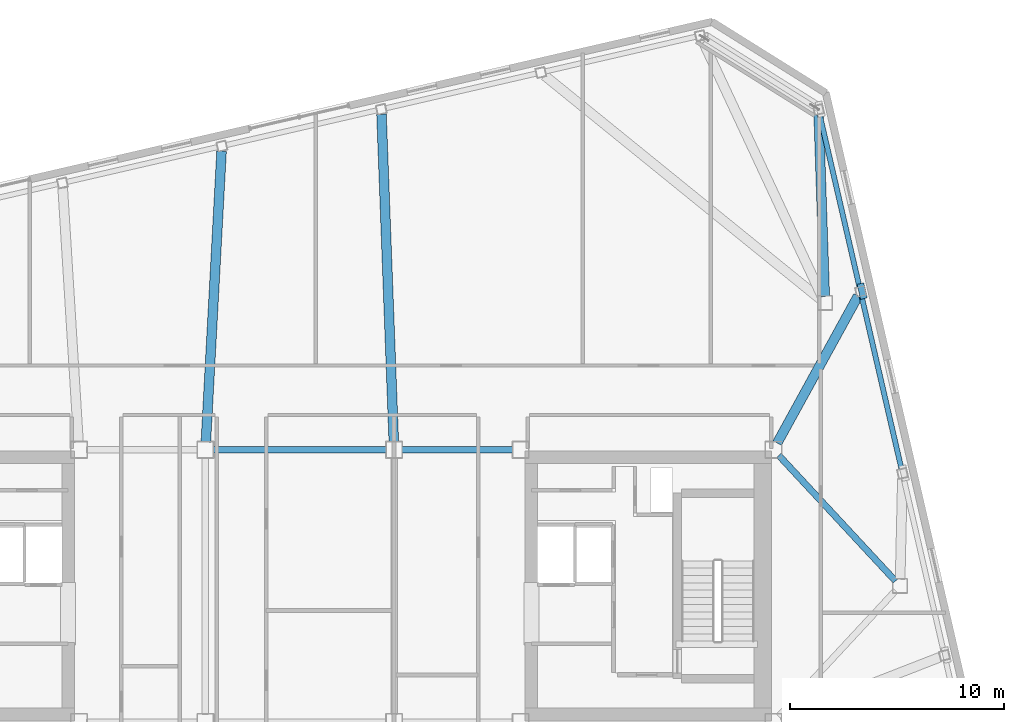
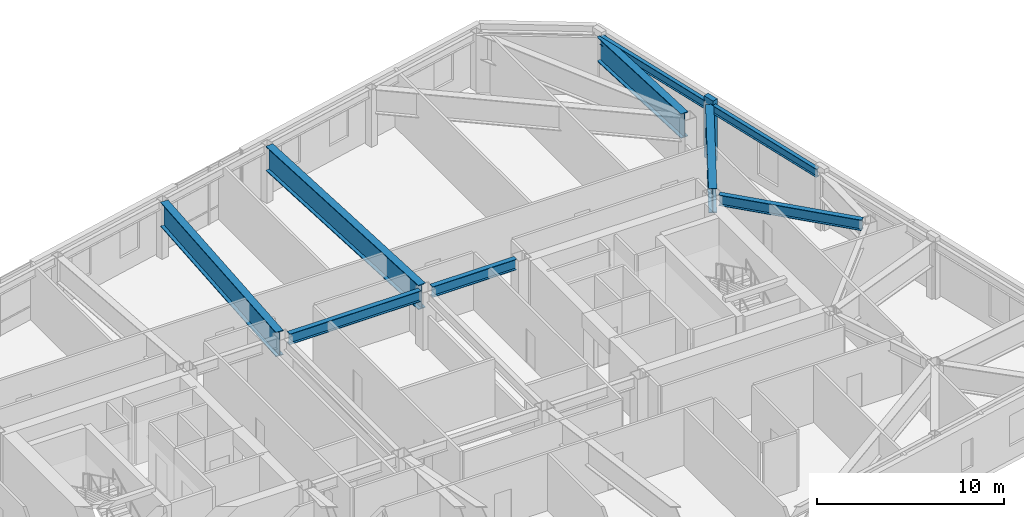
# One storey, part 11 of 21: 9 beams, 1 member.
"""IFC4 building model written with IfcOpenShell, lengths in metres."""

from ifc_helpers import new_model, si_unit, direction, frame, origin, origin_2d, place, context, subcontext, project, spatial, rectangle, i_section, extrude, material, material_profile, profile_set, type_object, element, save


model = new_model("IFC4")

# Units and contexts
model_context = context("Model", 3, precision=1e-05, world=origin(), true_north=direction((0.0, 1.0)))
body_context = subcontext(model_context, "Body", "Model", "MODEL_VIEW")
ifc_project = project(units=[si_unit("LENGTHUNIT", "METRE"), si_unit("AREAUNIT", "SQUARE_METRE"), si_unit("VOLUMEUNIT", "CUBIC_METRE"), si_unit("PLANEANGLEUNIT", "RADIAN"), si_unit("MASSUNIT", "GRAM", prefix="KILO")], contexts=[model_context])

# Site, building, storey
site_placement = place(None, origin())
site = spatial("IfcSite", under=ifc_project, at=site_placement, CompositionType="ELEMENT")
building_placement = place(site_placement, origin())
building = spatial("IfcBuilding", under=site, at=building_placement, Name="Tavrogorsk Clinical Tower", CompositionType="ELEMENT")
storey_placement = place(building_placement, frame((0.0, 0.0, 281.0)))
storey = spatial("IfcBuildingStorey", under=building, at=storey_placement, Name="L65", CompositionType="ELEMENT", Elevation=281.0)

# Member
ifc_material_1 = material(Name="Precast concrete B45 with limestone cladding", Category="masonry")
ifc_material_profile_1 = material_profile(ifc_material_1, rectangle(XDim=0.320068359375, YDim=0.719970703125, at=origin_2d()), Name="LIMESTONE-FIN-320x720")
ifc_profile_set_1 = profile_set([ifc_material_profile_1], Name="Precast concrete B45 with limestone cladding")
member_type = type_object("IfcMemberType", Name="LimestonePleatFin_320x720", PredefinedType="USERDEFINED", material=ifc_profile_set_1)
member_placement = place(storey_placement, frame((26.23583984375, 13.750244140625, 0.0), z_axis=(0.0, 0.0, 1.0), x_axis=(0.974370064785, 0.224951054344, 0.0)))
element("IfcMember", 1, at=member_placement, inside=storey, type_object=member_type, Name="L65 E Pleated Stone Fin 3", ObjectType="FIN", PredefinedType="USERDEFINED", context=body_context, shape_type="SweptSolid", body=[
    extrude(rectangle(XDim=0.320068359375, YDim=0.719970703125, at=origin_2d()), origin(), (0.0, 0.0, 1.0), 4.0),
])

# Beams
ifc_material_2 = material(Name="Structural steel S390", Category="steel")
ifc_material_profile_2 = material_profile(ifc_material_2, i_section(OverallWidth=0.300048828125, OverallDepth=0.699951171875, WebThickness=0.01708984375, FlangeThickness=0.028076171875, at=origin_2d()), Name="B-700x300x17x28")
ifc_profile_set_2 = profile_set([ifc_material_profile_2], Name="Structural steel S390")
beam_type_1 = type_object("IfcBeamType", Name="PrimaryGirder_B700", PredefinedType="USERDEFINED", material=ifc_profile_set_2)
beam_1_placement = place(storey_placement, frame((-4.0400390625, 6.35009765625, 3.389892578125), z_axis=(1.0, 0.0, 0.0), x_axis=(0.0, 1.0, 0.0)))
element("IfcBeam", 2, at=beam_1_placement, inside=storey, type_object=beam_type_1, Name="L65 Primary Spine Girder MG-04", ObjectType="GIRDER", PredefinedType="USERDEFINED", context=body_context, shape_type="SweptSolid", body=[
    extrude(i_section(OverallWidth=0.300048828125, OverallDepth=0.699951171875, WebThickness=0.01708984375, FlangeThickness=0.028076171875, at=origin_2d()), origin(), (0.0, 0.0, 1.0), 8.080078125),
])
beam_2_placement = place(storey_placement, frame((4.760009765625, 6.35009765625, 3.389892578125), z_axis=(1.0, 0.0, 0.0), x_axis=(0.0, 1.0, 0.0)))
element("IfcBeam", 3, at=beam_2_placement, inside=storey, type_object=beam_type_1, Name="L65 Primary Spine Girder MG-06", ObjectType="GIRDER", PredefinedType="USERDEFINED", context=body_context, shape_type="SweptSolid", body=[
    extrude(i_section(OverallWidth=0.300048828125, OverallDepth=0.699951171875, WebThickness=0.01708984375, FlangeThickness=0.028076171875, at=origin_2d()), origin(), (0.0, 0.0, 1.0), 5.179931640625),
])
beam_3_placement = place(storey_placement, frame((27.7890625, 0.22705078125, 3.389892578125), z_axis=(-0.680684060959, 0.732577101168, 0.0), x_axis=(-0.732577101168, -0.680684060959, 0.0)))
element("IfcBeam", 4, at=beam_3_placement, inside=storey, type_object=beam_type_1, Name="L65 Spine Link Girder OPG-8", ObjectType="GIRDER", PredefinedType="USERDEFINED", context=body_context, shape_type="SweptSolid", body=[
    extrude(i_section(OverallWidth=0.300048828125, OverallDepth=0.699951171875, WebThickness=0.01708984375, FlangeThickness=0.028076171875, at=origin_2d()), origin(), (0.0, 0.0, 1.0), 7.998046875),
])
ifc_material_3 = material(Name="Structural steel S390", Category="steel")
ifc_material_profile_3 = material_profile(ifc_material_3, i_section(OverallWidth=0.239990234375, OverallDepth=0.550048828125, WebThickness=0.013916015625, FlangeThickness=0.02197265625, at=origin_2d()), Name="B-550x240x14x22")
ifc_profile_set_3 = profile_set([ifc_material_profile_3], Name="Structural steel S390")
beam_type_2 = type_object("IfcBeamType", Name="SpandrelBeam_B550", PredefinedType="SPANDREL", material=ifc_profile_set_3)
beam_4_placement = place(storey_placement, frame((28.06494140625, 5.472412109375, 3.465087890625), z_axis=(-0.224978460613, 0.974363737144, 0.0), x_axis=(-0.974363737144, -0.224978460613, 0.0)))
element("IfcBeam", 5, at=beam_4_placement, inside=storey, type_object=beam_type_2, Name="L65 Perimeter Spandrel E3-E4", PredefinedType="SPANDREL", context=body_context, shape_type="SweptSolid", body=[
    extrude(i_section(OverallWidth=0.239990234375, OverallDepth=0.550048828125, WebThickness=0.013916015625, FlangeThickness=0.02197265625, at=origin_2d()), origin(), (0.0, 0.0, 1.0), 8.244140625),
])
beam_5_placement = place(storey_placement, frame((26.10546875, 13.959228515625, 3.465087890625), z_axis=(-0.224950345141, 0.974370228517, 0.0), x_axis=(-0.974370228517, -0.224950345141, 0.0)))
element("IfcBeam", 6, at=beam_5_placement, inside=storey, type_object=beam_type_2, Name="L65 Perimeter Spandrel E4-E5", PredefinedType="SPANDREL", context=body_context, shape_type="SweptSolid", body=[
    extrude(i_section(OverallWidth=0.239990234375, OverallDepth=0.550048828125, WebThickness=0.013916015625, FlangeThickness=0.02197265625, at=origin_2d()), origin(), (0.0, 0.0, 1.0), 8.243896484375),
])
ifc_material_4 = material(Name="Structural steel S440", Category="steel")
ifc_material_profile_4 = material_profile(ifc_material_4, i_section(OverallWidth=0.449951171875, OverallDepth=1.60009765625, WebThickness=0.031982421875, FlangeThickness=0.050048828125, at=origin_2d()), Name="DK-1600x450x32x50")
ifc_profile_set_4 = profile_set([ifc_material_profile_4], Name="Structural steel S440")
beam_type_3 = type_object("IfcBeamType", Name="TransferGirder_DK1600", PredefinedType="USERDEFINED", material=ifc_profile_set_4)
beam_6_placement = place(storey_placement, frame((4.386474609375, 6.709716796875, 2.93994140625), z_axis=(-0.037467286709, 0.999297854709, 0.0), x_axis=(-0.999297854709, -0.037467286709, 0.0)))
element("IfcBeam", 7, at=beam_6_placement, inside=storey, type_object=beam_type_3, Name="L65 Radial Floor Beam N3", ObjectType="GIRDER", PredefinedType="USERDEFINED", context=body_context, shape_type="SweptSolid", body=[
    extrude(i_section(OverallWidth=0.449951171875, OverallDepth=1.60009765625, WebThickness=0.031982421875, FlangeThickness=0.050048828125, at=origin_2d()), origin(), (0.0, 0.0, 1.0), 15.2998046875),
])
beam_7_placement = place(storey_placement, frame((-4.380615234375, 6.70947265625, 2.93994140625), z_axis=(0.053993651681, 0.998541278855, 0.0), x_axis=(-0.998541278855, 0.053993651681, 0.0)))
element("IfcBeam", 8, at=beam_7_placement, inside=storey, type_object=beam_type_3, Name="L65 Radial Floor Beam N4", ObjectType="GIRDER", PredefinedType="USERDEFINED", context=body_context, shape_type="SweptSolid", body=[
    extrude(i_section(OverallWidth=0.449951171875, OverallDepth=1.60009765625, WebThickness=0.031982421875, FlangeThickness=0.050048828125, at=origin_2d()), origin(), (0.0, 0.0, 1.0), 13.592041015625),
])
beam_8_placement = place(storey_placement, frame((22.2734375, 6.66552734375, 2.93994140625), z_axis=(0.481704510728, 0.876333706042, 0.0), x_axis=(-0.876333706042, 0.481704510728, 0.0)))
element("IfcBeam", 9, at=beam_8_placement, inside=storey, type_object=beam_type_3, Name="L65 Radial Floor Beam E4", ObjectType="GIRDER", PredefinedType="USERDEFINED", context=body_context, shape_type="SweptSolid", body=[
    extrude(i_section(OverallWidth=0.449951171875, OverallDepth=1.60009765625, WebThickness=0.031982421875, FlangeThickness=0.050048828125, at=origin_2d()), origin(), (0.0, 0.0, 1.0), 7.8310546875),
])
beam_9_placement = place(storey_placement, frame((24.48974609375, 13.509765625, 2.93994140625), z_axis=(-0.033421222185, 0.999441354912, 0.0), x_axis=(-0.999441354912, -0.033421222185, 0.0)))
element("IfcBeam", 10, at=beam_9_placement, inside=storey, type_object=beam_type_3, Name="L65 Radial Floor Beam E5", ObjectType="GIRDER", PredefinedType="USERDEFINED", context=body_context, shape_type="SweptSolid", body=[
    extrude(i_section(OverallWidth=0.449951171875, OverallDepth=1.60009765625, WebThickness=0.031982421875, FlangeThickness=0.050048828125, at=origin_2d()), origin(), (0.0, 0.0, 1.0), 8.48095703125),
])

save(model, "model.ifc")
